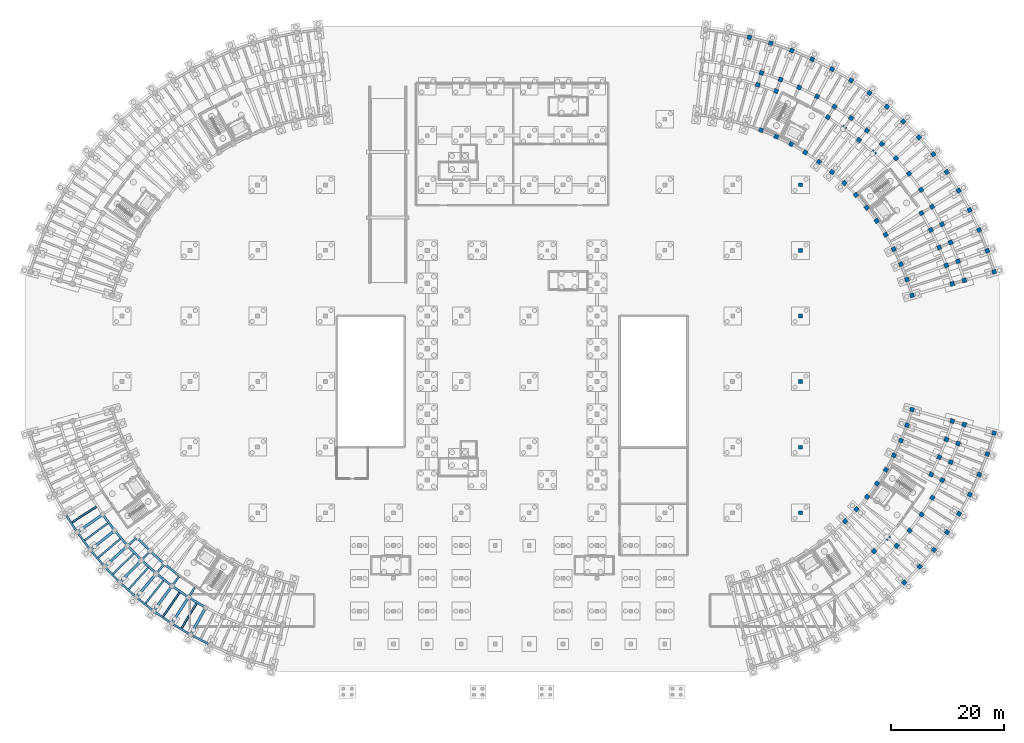
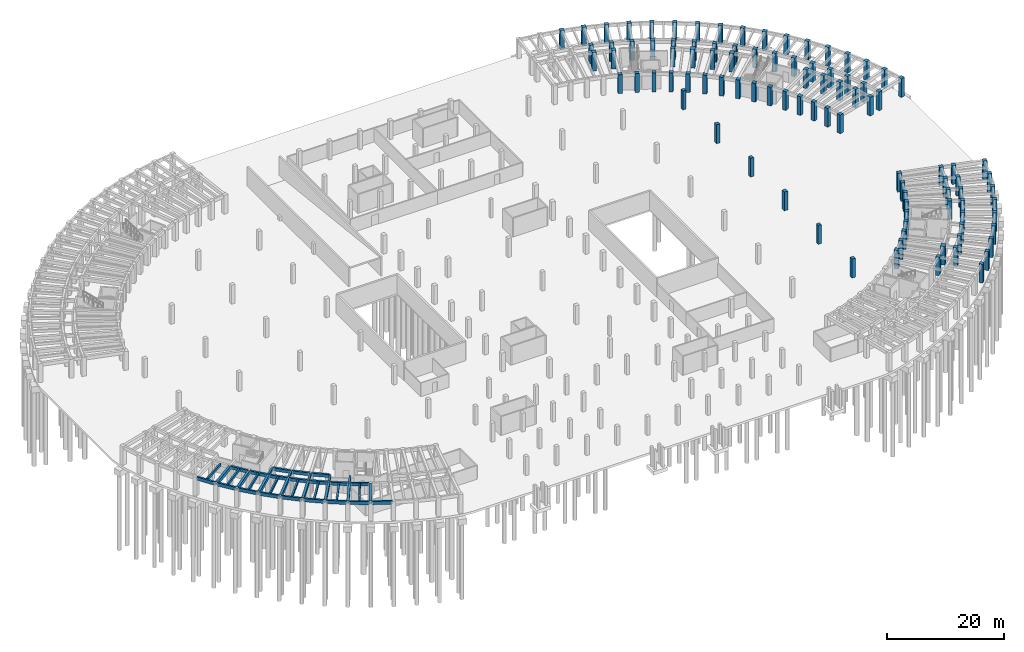
# One storey, part 9 of 29: 97 columns, 40 beams.
"""IFC4 building model written with IfcOpenShell, lengths in metres."""

import ifcopenshell
import ifcopenshell.guid

model = None  # the IFC model being written
_history = None  # IfcOwnerHistory: only IFC2X3 demands one
_inside = {}  # id of a spatial element -> (the spatial element, [elements in it])
_under = {}  # id of a project, library or spatial element -> (it, [spatial elements below it])
_declared = {}  # id of a project -> (the project, [libraries it declares])
_typed = {}  # id of a type object -> (the type object, [elements of that type])
_made_of = {}  # id of a material, layer set ... -> (it, [elements and type objects made of it])


def new_model(schema):
    """Start an empty IFC model of exactly this schema.

    Asked for "IFC4X3", IfcOpenShell would pick the latest addendum, in which some entities
    have other attributes; the version numbers below select the first issue.
    IFC2X3 requires an IfcOwnerHistory on every rooted entity: one is made here for all.
    """
    global model, _history
    if schema == "IFC4X3":
        model = ifcopenshell.file(schema_version=(4, 3, 0, 0))
    else:
        model = ifcopenshell.file(schema=schema)
    _inside.clear()
    _under.clear()
    _declared.clear()
    _typed.clear()
    _made_of.clear()
    _history = None
    if model.schema == "IFC2X3":
        org = make("IfcOrganization", Name="unknown")
        user = make(
            "IfcPersonAndOrganization",
            ThePerson=make("IfcPerson", FamilyName="unknown"),
            TheOrganization=org,
        )
        app = make(
            "IfcApplication",
            ApplicationDeveloper=org,
            Version="unknown",
            ApplicationFullName="unknown",
            ApplicationIdentifier="unknown",
        )
        _history = make(
            "IfcOwnerHistory",
            OwningUser=user,
            OwningApplication=app,
            ChangeAction="ADDED",
            CreationDate=0,
        )
    return model


def make(cls, **values):
    """One entity of the class cls with the attributes given. An attribute that is None is left unset."""
    return model.create_entity(
        cls, **{name: value for name, value in values.items() if value is not None}
    )


def rooted(cls, **values):
    """An entity with a GlobalId (a new one), such as an element, a storey or a relation."""
    return make(cls, GlobalId=ifcopenshell.guid.new(), OwnerHistory=_history, **values)


def si_unit(unit_type, name, prefix=None):
    """IfcSIUnit, for example si_unit("LENGTHUNIT", "METRE", prefix="MILLI")."""
    return make("IfcSIUnit", UnitType=unit_type, Prefix=prefix, Name=name)


def assignment(units):
    """IfcUnitAssignment: the units of a project."""
    return None if units is None else make("IfcUnitAssignment", Units=units)


def point(xyz):
    """IfcCartesianPoint."""
    return None if xyz is None else make("IfcCartesianPoint", Coordinates=xyz)


def direction(xyz):
    """IfcDirection."""
    return None if xyz is None else make("IfcDirection", DirectionRatios=xyz)


def frame(location, z_axis=None, x_axis=None):
    """IfcAxis2Placement3D, a coordinate frame: its origin and axes. An axis left out is left unset."""
    return make(
        "IfcAxis2Placement3D",
        Location=point(location),
        Axis=direction(z_axis),
        RefDirection=direction(x_axis),
    )


def frame_2d(location, x_axis=None):
    """IfcAxis2Placement2D, a coordinate frame in the plane: its origin and x axis."""
    return make(
        "IfcAxis2Placement2D", Location=point(location), RefDirection=direction(x_axis)
    )


def origin():
    """The frame at (0, 0, 0) with its axes left unset."""
    return frame((0.0, 0.0, 0.0))


def origin_2d():
    """The frame at (0, 0) in the plane with its x axis left unset."""
    return frame_2d((0.0, 0.0))


def place(relative_to, where):
    """IfcLocalPlacement: puts the frame where relative to a parent placement (None: the world)."""
    return make(
        "IfcLocalPlacement", PlacementRelTo=relative_to, RelativePlacement=where
    )


def context(
    kind, dimensions, precision=None, world=None, true_north=None, identifier=None
):
    """IfcGeometricRepresentationContext, for example the 3D "Model" context."""
    return make(
        "IfcGeometricRepresentationContext",
        ContextIdentifier=identifier,
        ContextType=kind,
        CoordinateSpaceDimension=dimensions,
        Precision=precision,
        WorldCoordinateSystem=world,
        TrueNorth=true_north,
    )


def subcontext(parent, identifier, kind, view, scale=None):
    """IfcGeometricRepresentationSubContext, for example "Body" below "Model"."""
    return make(
        "IfcGeometricRepresentationSubContext",
        ContextIdentifier=identifier,
        ContextType=kind,
        ParentContext=parent,
        TargetScale=scale,
        TargetView=view,
    )


def project(units=None, contexts=None):
    """IfcProject with its units and contexts."""
    return rooted(
        "IfcProject",
        Name="project",
        RepresentationContexts=contexts,
        UnitsInContext=assignment(units),
    )


def spatial(cls, under=None, at=None, **own):
    """A site, building, storey or space (cls), placed at a placement, below another one or the project."""
    s = rooted(cls, ObjectPlacement=at, **own)
    if under is not None:
        _under.setdefault(under.id(), (under, []))[1].append(s)
    return s


def profile(cls, at=None, kind="AREA", **sizes):
    """A parametric profile (cls). Its sizes go by their IFC names, for example OverallWidth=200.0."""
    return make(cls, ProfileType=kind, Position=at, **sizes)


def rectangle(**sizes):
    """IfcRectangleProfileDef."""
    return profile("IfcRectangleProfileDef", **sizes)


def extrude(swept, where, along, depth):
    """IfcExtrudedAreaSolid: the profile swept, set in the frame where, extruded along a direction by depth."""
    return make(
        "IfcExtrudedAreaSolid",
        SweptArea=swept,
        Position=where,
        ExtrudedDirection=direction(along),
        Depth=depth,
    )


def shape(context_of_items, identifier, shape_type, items):
    """IfcShapeRepresentation: the items that make up one representation, for example the "Body"."""
    return make(
        "IfcShapeRepresentation",
        ContextOfItems=context_of_items,
        RepresentationIdentifier=identifier,
        RepresentationType=shape_type,
        Items=items,
    )


def material(Name=None, Category=None):
    """IfcMaterial."""
    return make("IfcMaterial", Name=Name, Category=Category)


def material_profile(
    of_material, cross_section, Name=None, Category=None, Priority=None
):
    """IfcMaterialProfile: a cross section and its material."""
    return make(
        "IfcMaterialProfile",
        Name=Name,
        Material=of_material,
        Profile=cross_section,
        Priority=Priority,
        Category=Category,
    )


def profile_set(profiles, Name=None, composite=None):
    """IfcMaterialProfileSet."""
    return make(
        "IfcMaterialProfileSet",
        Name=Name,
        MaterialProfiles=profiles,
        CompositeProfile=composite,
    )


def made_of(thing, what):
    """Note that an element or type object is made of a material, layer set ...; save() writes the relation."""
    if what is not None:
        _made_of.setdefault(what.id(), (what, []))[1].append(thing)
    return thing


def type_object(cls, material=None, **own):
    """A type object (cls), such as IfcWallType, which elements share."""
    return made_of(rooted(cls, **own), material)


def element(
    cls,
    number,
    at=None,
    inside=None,
    cuts=None,
    type_object=None,
    material=None,
    context=None,
    identifier="Body",
    shape_type=None,
    held_by="IfcProductDefinitionShape",
    body=None,
    shapes=None,
    **own,
):
    """One element of the class cls, such as IfcWall. Its Tag is "e" and its number.

    at: its placement. inside: the storey or other place that contains it. cuts: it is an
    opening in that element (IfcRelVoidsElement). A single representation is given by context,
    identifier, shape_type and body (its items); several are given by shapes. held_by: the class
    of the entity that holds the representations. save() writes the other relations.
    """
    e = rooted(cls, Tag="e%d" % number, ObjectPlacement=at, **own)
    if body is not None:
        shapes = [shape(context, identifier, shape_type, body)]
    if shapes is not None:
        e.Representation = make(held_by, Representations=shapes)
    if inside is not None:
        _inside.setdefault(inside.id(), (inside, []))[1].append(e)
    if cuts is not None:
        rooted(
            "IfcRelVoidsElement", RelatingBuildingElement=cuts, RelatedOpeningElement=e
        )
    if type_object is not None:
        _typed.setdefault(type_object.id(), (type_object, []))[1].append(e)
    return made_of(e, material)


def aggregate(whole, parts):
    """IfcRelAggregates: a whole, such as a stair, and the parts it consists of."""
    return rooted("IfcRelAggregates", RelatingObject=whole, RelatedObjects=parts)


def save(model, path):
    """Write the relations noted so far, then the file.

    IfcRelAggregates (storeys below a building ...), IfcRelContainedInSpatialStructure (elements
    in a storey), IfcRelDefinesByType, IfcRelAssociatesMaterial and IfcRelDeclares: one each for
    every whole, place, type object, material and project.
    """
    for whole, parts in _under.values():
        aggregate(whole, parts)
    for where, things in _inside.values():
        rooted(
            "IfcRelContainedInSpatialStructure",
            RelatedElements=things,
            RelatingStructure=where,
        )
    for kind, things in _typed.values():
        rooted("IfcRelDefinesByType", RelatedObjects=things, RelatingType=kind)
    for what, things in _made_of.values():
        rooted("IfcRelAssociatesMaterial", RelatedObjects=things, RelatingMaterial=what)
    for by, libraries in _declared.values():
        rooted("IfcRelDeclares", RelatingContext=by, RelatedDefinitions=libraries)
    model.write(path)


model = new_model("IFC4")

# Units and contexts
model_context = context("Model", 3, precision=1e-05, world=origin(), true_north=direction((0.0, 1.0)))
body_context = subcontext(model_context, "Body", "Model", "MODEL_VIEW")
ifc_project = project(units=[si_unit("LENGTHUNIT", "METRE"), si_unit("AREAUNIT", "SQUARE_METRE"), si_unit("VOLUMEUNIT", "CUBIC_METRE"), si_unit("PLANEANGLEUNIT", "RADIAN"), si_unit("MASSUNIT", "GRAM", prefix="KILO")], contexts=[model_context])

# Site, building, storey
site_placement = place(None, origin())
site = spatial("IfcSite", under=ifc_project, at=site_placement, CompositionType="ELEMENT")
building_placement = place(site_placement, origin())
building = spatial("IfcBuilding", under=site, at=building_placement, Name="Tanwirah Colonnade Gardens", CompositionType="ELEMENT")
storey_placement = place(building_placement, frame((0.0, 0.0, -4.199951171875)))
storey = spatial("IfcBuildingStorey", under=building, at=storey_placement, Name="B1", CompositionType="ELEMENT", Elevation=-4.199951171875)

# Columns
ifc_material_1 = material(Name="Concrete C45/55", Category="concrete")
ifc_material_profile_1 = material_profile(ifc_material_1, rectangle(XDim=0.64990234375, YDim=0.64990234375, at=origin_2d()), Name="RC-COL 650x650")
ifc_profile_set_1 = profile_set([ifc_material_profile_1], Name="Concrete C45/55")
column_type_1 = type_object("IfcColumnType", Name="C-RC650", PredefinedType="COLUMN", material=ifc_profile_set_1)
for number, where, z_axis, x_axis, name in (
    (1, (144.0, 45.60009765625, 0.0), (0.0, 0.0, 1.0), (1.0, 0.0, 0.0), "Basement Parking Column 39"),
    (2, (144.0, 68.800048828125, 0.0), (0.0, 0.0, 1.0), (1.0, 0.0, 0.0), "Basement Parking Column 41"),
    (3, (144.0, 92.0, 0.0), (0.0, 0.0, 1.0), (1.0, 0.0, 0.0), "Basement Parking Column 43"),
):
    element("IfcColumn", number, at=place(storey_placement, frame(where, z_axis=z_axis, x_axis=x_axis)), inside=storey, type_object=column_type_1, Name=name, PredefinedType="COLUMN", context=body_context, shape_type="SweptSolid", body=[
        extrude(rectangle(XDim=0.64990234375, YDim=0.64990234375, at=origin_2d()), origin(), (0.0, 0.0, 1.0), 3.969970703125),
    ])
ifc_material_profile_2 = material_profile(ifc_material_1, rectangle(XDim=0.699951171875, YDim=0.699951171875, at=origin_2d()), Name="RC-COL 700x700")
ifc_profile_set_2 = profile_set([ifc_material_profile_2], Name="Concrete C45/55")
column_type_2 = type_object("IfcColumnType", Name="C-RC700", PredefinedType="COLUMN", material=ifc_profile_set_2)
for number, where, z_axis, x_axis, name in (
    (4, (144.0, 34.0, 0.0), (0.0, 0.0, 1.0), (1.0, 0.0, 0.0), "Basement Parking Column 38"),
    (5, (144.0, 57.199951171875, 0.0), (0.0, 0.0, 1.0), (1.0, 0.0, 0.0), "Basement Parking Column 40"),
    (6, (144.0, 80.39990234375, 0.0), (0.0, 0.0, 1.0), (1.0, 0.0, 0.0), "Basement Parking Column 42"),
):
    element("IfcColumn", number, at=place(storey_placement, frame(where, z_axis=z_axis, x_axis=x_axis)), inside=storey, type_object=column_type_2, Name=name, PredefinedType="COLUMN", context=body_context, shape_type="SweptSolid", body=[
        extrude(rectangle(XDim=0.699951171875, YDim=0.699951171875, at=origin_2d()), origin(), (0.0, 0.0, 1.0), 3.969970703125),
    ])
ifc_material_profile_3 = material_profile(ifc_material_1, rectangle(XDim=0.75, YDim=0.75, at=origin_2d()), Name="RC-COL 750x750")
ifc_profile_set_3 = profile_set([ifc_material_profile_3], Name="Concrete C45/55")
column_type_3 = type_object("IfcColumnType", Name="C-RC750", PredefinedType="COLUMN", material=ifc_profile_set_3)
for number, where, z_axis, x_axis, name in (
    (7, (163.72802734375, 72.4521484375, 0.0), (0.0, 0.0, 1.0), (0.961261695938, 0.275637355817, 0.0), "Block B B1 Column 0-R0"),
    (8, (170.84130859375, 74.49169921875, 0.0), (0.0, 0.0, 1.0), (0.961261695938, 0.275637355817, 0.0), "Block B B1 Column 0-R1"),
    (9, (172.956298828125, 75.09814453125, 0.0), (0.0, 0.0, 1.0), (0.961261695938, 0.275637355817, 0.0), "Block B B1 Column 0-R2"),
    (10, (178.2431640625, 76.6142578125, 0.0), (0.0, 0.0, 1.0), (0.961261695938, 0.275637355817, 0.0), "Block B B1 Column 0-R3"),
    (11, (162.827880859375, 75.24072265625, 0.0), (0.0, 0.0, 1.0), (0.941012076693, 0.338372976931, 0.0), "Block B B1 Column 1-R0"),
    (12, (169.79150390625, 77.74462890625, 0.0), (0.0, 0.0, 1.0), (0.941012076693, 0.338372976931, 0.0), "Block B B1 Column 1-R1"),
    (13, (171.86181640625, 78.489013671875, 0.0), (0.0, 0.0, 1.0), (0.941012076693, 0.338372976931, 0.0), "Block B B1 Column 1-R2"),
    (14, (177.037353515625, 80.35009765625, 0.0), (0.0, 0.0, 1.0), (0.941012076693, 0.338372976931, 0.0), "Block B B1 Column 1-R3"),
    (15, (161.74609375, 77.9638671875, 0.0), (0.0, 0.0, 1.0), (0.916673002238, 0.39963809499, 0.0), "Block B B1 Column 2-R0"),
    (16, (168.529541015625, 80.921142578125, 0.0), (0.0, 0.0, 1.0), (0.916673002238, 0.39963809499, 0.0), "Block B B1 Column 2-R1"),
    (17, (170.546142578125, 81.800537109375, 0.0), (0.0, 0.0, 1.0), (0.916673002238, 0.39963809499, 0.0), "Block B B1 Column 2-R2"),
    (18, (175.587890625, 83.99853515625, 0.0), (0.0, 0.0, 1.0), (0.916673002238, 0.39963809499, 0.0), "Block B B1 Column 2-R3"),
    (19, (160.487060546875, 80.60986328125, 0.0), (0.0, 0.0, 1.0), (0.88835024545, 0.459166463723, 0.0), "Block B B1 Column 3-R0"),
    (20, (167.06103515625, 84.0078125, 0.0), (0.0, 0.0, 1.0), (0.88835024545, 0.459166463723, 0.0), "Block B B1 Column 3-R1"),
    (21, (169.015380859375, 85.01806640625, 0.0), (0.0, 0.0, 1.0), (0.88835024545, 0.459166463723, 0.0), "Block B B1 Column 3-R2"),
    (22, (173.9013671875, 87.54345703125, 0.0), (0.0, 0.0, 1.0), (0.88835024545, 0.459166463723, 0.0), "Block B B1 Column 3-R3"),
    (23, (159.056640625, 83.167236328125, 0.0), (0.0, 0.0, 1.0), (0.856166891514, 0.516699384434, 0.0), "Block B B1 Column 4-R0"),
    (24, (165.392333984375, 86.990966796875, 0.0), (0.0, 0.0, 1.0), (0.856166891514, 0.516699384434, 0.0), "Block B B1 Column 4-R1"),
    (25, (167.27587890625, 88.127685546875, 0.0), (0.0, 0.0, 1.0), (0.856166891514, 0.516699384434, 0.0), "Block B B1 Column 4-R2"),
    (26, (171.984619140625, 90.969482421875, 0.0), (0.0, 0.0, 1.0), (0.856166891514, 0.516699384434, 0.0), "Block B B1 Column 4-R3"),
    (27, (157.460693359375, 85.624755859375, 0.0), (0.0, 0.0, 1.0), (0.820262803018, 0.571986830255, 0.0), "Block B B1 Column 5-R0"),
    (28, (165.335205078125, 91.115966796875, 0.0), (0.0, 0.0, 1.0), (0.820262803018, 0.571986830255, 0.0), "Block B B1 Column 5-R2"),
    (29, (169.8466796875, 94.26171875, 0.0), (0.0, 0.0, 1.0), (0.820262803018, 0.571986830255, 0.0), "Block B B1 Column 5-R3"),
    (30, (155.706298828125, 87.971923828125, 0.0), (0.0, 0.0, 1.0), (0.780794012137, 0.624788532714, 0.0), "Block B B1 Column 6-R0"),
    (31, (163.201904296875, 93.9697265625, 0.0), (0.0, 0.0, 1.0), (0.780794012137, 0.624788532714, 0.0), "Block B B1 Column 6-R2"),
    (32, (167.496337890625, 97.40625, 0.0), (0.0, 0.0, 1.0), (0.780794012137, 0.624788532714, 0.0), "Block B B1 Column 6-R3"),
    (33, (153.801025390625, 90.1982421875, 0.0), (0.0, 0.0, 1.0), (0.73793204255, 0.674875025896, 0.0), "Block B B1 Column 7-R0"),
    (34, (160.88525390625, 96.677001953125, 0.0), (0.0, 0.0, 1.0), (0.73793204255, 0.674875025896, 0.0), "Block B B1 Column 7-R2"),
    (35, (164.94384765625, 100.388916015625, 0.0), (0.0, 0.0, 1.0), (0.73793204255, 0.674875025896, 0.0), "Block B B1 Column 7-R3"),
    (36, (151.75341796875, 92.294189453125, 0.0), (0.0, 0.0, 1.0), (0.691863164029, 0.722028643656, 0.0), "Block B B1 Column 8-R0"),
    (37, (158.395263671875, 99.2255859375, 0.0), (0.0, 0.0, 1.0), (0.691863164029, 0.722028643656, 0.0), "Block B B1 Column 8-R2"),
    (38, (162.200439453125, 103.19677734375, 0.0), (0.0, 0.0, 1.0), (0.691863164029, 0.722028643656, 0.0), "Block B B1 Column 8-R3"),
    (39, (149.572021484375, 94.250732421875, 0.0), (0.0, 0.0, 1.0), (0.642787582947, 0.766044465556, 0.0), "Block B B1 Column 9-R0"),
    (40, (154.32861328125, 99.91943359375, 0.0), (0.0, 0.0, 1.0), (0.642787582947, 0.766044465556, 0.0), "Block B B1 Column 9-R1"),
    (41, (155.74267578125, 101.604736328125, 0.0), (0.0, 0.0, 1.0), (0.642787582947, 0.766044465556, 0.0), "Block B B1 Column 9-R2"),
    (42, (159.278076171875, 105.81787109375, 0.0), (0.0, 0.0, 1.0), (0.642787582947, 0.766044465556, 0.0), "Block B B1 Column 9-R3"),
    (43, (147.266357421875, 96.05908203125, 0.0), (0.0, 0.0, 1.0), (0.590918572221, 0.806731207407, 0.0), "Block B B1 Column 10-R0"),
    (44, (152.939208984375, 103.8037109375, 0.0), (0.0, 0.0, 1.0), (0.590918572221, 0.806731207407, 0.0), "Block B B1 Column 10-R2"),
    (45, (156.189208984375, 108.24072265625, 0.0), (0.0, 0.0, 1.0), (0.590918572221, 0.806731207407, 0.0), "Block B B1 Column 10-R3"),
    (46, (144.8466796875, 97.7119140625, 0.0), (0.0, 0.0, 1.0), (0.536481544469, 0.843912052553, 0.0), "Block B B1 Column 11-R0"),
    (47, (148.816650390625, 103.956787109375, 0.0), (0.0, 0.0, 1.0), (0.536481544469, 0.843912052553, 0.0), "Block B B1 Column 11-R1"),
    (48, (149.996826171875, 105.8134765625, 0.0), (0.0, 0.0, 1.0), (0.536481544469, 0.843912052553, 0.0), "Block B B1 Column 11-R2"),
    (49, (152.947509765625, 110.455078125, 0.0), (0.0, 0.0, 1.0), (0.536481544469, 0.843912052553, 0.0), "Block B B1 Column 11-R3"),
    (50, (142.3232421875, 99.20166015625, 0.0), (0.0, 0.0, 1.0), (0.479713072413, 0.877425420281, 0.0), "Block B B1 Column 12-R0"),
    (51, (146.928466796875, 107.624755859375, 0.0), (0.0, 0.0, 1.0), (0.479713072413, 0.877425420281, 0.0), "Block B B1 Column 12-R2"),
    (52, (149.56689453125, 112.45068359375, 0.0), (0.0, 0.0, 1.0), (0.479713072413, 0.877425420281, 0.0), "Block B B1 Column 12-R3"),
    (53, (139.707275390625, 100.521728515625, 0.0), (0.0, 0.0, 1.0), (0.420859860775, 0.907125668024, 0.0), "Block B B1 Column 13-R0"),
    (54, (143.74755859375, 109.230224609375, 0.0), (0.0, 0.0, 1.0), (0.420859860775, 0.907125668024, 0.0), "Block B B1 Column 13-R2"),
    (55, (146.062255859375, 114.21923828125, 0.0), (0.0, 0.0, 1.0), (0.420859860775, 0.907125668024, 0.0), "Block B B1 Column 13-R3"),
    (56, (137.010009765625, 101.666748046875, 0.0), (0.0, 0.0, 1.0), (0.36017767415, 0.932883724289, 0.0), "Block B B1 Column 14-R0"),
    (57, (139.67529296875, 108.570068359375, 0.0), (0.0, 0.0, 1.0), (0.36017767415, 0.932883724289, 0.0), "Block B B1 Column 14-R1"),
    (58, (140.467529296875, 110.622314453125, 0.0), (0.0, 0.0, 1.0), (0.36017767415, 0.932883724289, 0.0), "Block B B1 Column 14-R2"),
    (59, (142.448486328125, 115.753173828125, 0.0), (0.0, 0.0, 1.0), (0.36017767415, 0.932883724289, 0.0), "Block B B1 Column 14-R3"),
    (60, (136.44775390625, 109.6953125, 0.0), (0.0, 0.0, 1.0), (0.297930225503, 0.954587649581, 0.0), "Block B B1 Column 15-R1"),
    (61, (137.10302734375, 111.79541015625, 0.0), (0.0, 0.0, 1.0), (0.297930225503, 0.954587649581, 0.0), "Block B B1 Column 15-R2"),
    (62, (138.74169921875, 117.045654296875, 0.0), (0.0, 0.0, 1.0), (0.297930225503, 0.954587649581, 0.0), "Block B B1 Column 15-R3"),
    (63, (134.957763671875, 118.091064453125, 0.0), (0.0, 0.0, 1.0), (0.234388030122, 0.972143122866, 0.0), "Block B B1 Column 16-R3"),
    (64, (151.877685546875, 32.525390625, 0.0), (0.0, 0.0, 1.0), (0.694658370459, -0.719339800339, 0.0), "Block D B1 Column 8-R0"),
    (65, (157.01806640625, 27.2021484375, 0.0), (0.0, 0.0, 1.0), (0.694658370459, -0.719339800339, 0.0), "Block D B1 Column 8-R1"),
    (66, (162.366943359375, 21.663330078125, 0.0), (0.0, 0.0, 1.0), (0.694658370459, -0.719339800339, 0.0), "Block D B1 Column 8-R3"),
    (67, (153.902587890625, 34.61328125, 0.0), (0.0, 0.0, 1.0), (0.740218127487, -0.672366807435, 0.0), "Block D B1 Column 9-R0"),
    (68, (161.0087890625, 28.15869140625, 0.0), (0.0, 0.0, 1.0), (0.740218127487, -0.672366807435, 0.0), "Block D B1 Column 9-R2"),
    (69, (165.080078125, 24.46044921875, 0.0), (0.0, 0.0, 1.0), (0.740218127487, -0.672366807435, 0.0), "Block D B1 Column 9-R3"),
    (70, (155.786865234375, 36.829345703125, 0.0), (0.0, 0.0, 1.0), (0.782608156852, -0.622514636638, 0.0), "Block D B1 Column 10-R0"),
    (71, (163.300048828125, 30.85302734375, 0.0), (0.0, 0.0, 1.0), (0.782608156852, -0.622514636638, 0.0), "Block D B1 Column 10-R2"),
    (72, (167.604248046875, 27.42919921875, 0.0), (0.0, 0.0, 1.0), (0.782608156852, -0.622514636638, 0.0), "Block D B1 Column 10-R3"),
    (73, (157.522216796875, 39.16357421875, 0.0), (0.0, 0.0, 1.0), (0.821646937942, -0.569996762596, 0.0), "Block D B1 Column 11-R0"),
    (74, (165.409912109375, 33.691650390625, 0.0), (0.0, 0.0, 1.0), (0.821646937942, -0.569996762596, 0.0), "Block D B1 Column 11-R2"),
    (75, (169.928955078125, 30.556640625, 0.0), (0.0, 0.0, 1.0), (0.821646937942, -0.569996762596, 0.0), "Block D B1 Column 11-R3"),
    (76, (159.10107421875, 41.6064453125, 0.0), (0.0, 0.0, 1.0), (0.857167300702, -0.51503807491, 0.0), "Block D B1 Column 12-R0"),
    (77, (167.329833984375, 36.662109375, 0.0), (0.0, 0.0, 1.0), (0.857167300702, -0.51503807491, 0.0), "Block D B1 Column 12-R2"),
    (78, (172.04443359375, 33.82958984375, 0.0), (0.0, 0.0, 1.0), (0.857167300702, -0.51503807491, 0.0), "Block D B1 Column 12-R3"),
    (79, (160.516845703125, 44.1474609375, 0.0), (0.0, 0.0, 1.0), (0.889017141486, -0.457873915117, 0.0), "Block D B1 Column 13-R0"),
    (80, (167.095458984375, 40.75927734375, 0.0), (0.0, 0.0, 1.0), (0.889017141486, -0.457873915117, 0.0), "Block D B1 Column 13-R1"),
    (81, (169.05126953125, 39.751953125, 0.0), (0.0, 0.0, 1.0), (0.889017141486, -0.457873915117, 0.0), "Block D B1 Column 13-R2"),
    (82, (173.94091796875, 37.233642578125, 0.0), (0.0, 0.0, 1.0), (0.889017141486, -0.457873915117, 0.0), "Block D B1 Column 13-R3"),
    (83, (161.763427734375, 46.775634765625, 0.0), (0.0, 0.0, 1.0), (0.917060074385, -0.398749068925, 0.0), "Block D B1 Column 14-R0"),
    (84, (168.549560546875, 43.824951171875, 0.0), (0.0, 0.0, 1.0), (0.917060074385, -0.398749068925, 0.0), "Block D B1 Column 14-R1"),
    (85, (170.567138671875, 42.947509765625, 0.0), (0.0, 0.0, 1.0), (0.917060074385, -0.398749068925, 0.0), "Block D B1 Column 14-R2"),
    (86, (175.61083984375, 40.75439453125, 0.0), (0.0, 0.0, 1.0), (0.917060074385, -0.398749068925, 0.0), "Block D B1 Column 14-R3"),
    (87, (162.835205078125, 49.4794921875, 0.0), (0.0, 0.0, 1.0), (0.941176015256, -0.337916718003, 0.0), "Block D B1 Column 15-R0"),
    (88, (169.800048828125, 46.97900390625, 0.0), (0.0, 0.0, 1.0), (0.941176015256, -0.337916718003, 0.0), "Block D B1 Column 15-R1"),
    (89, (171.87060546875, 46.235595703125, 0.0), (0.0, 0.0, 1.0), (0.941176015256, -0.337916718003, 0.0), "Block D B1 Column 15-R2"),
    (90, (177.047119140625, 44.376953125, 0.0), (0.0, 0.0, 1.0), (0.941176015256, -0.337916718003, 0.0), "Block D B1 Column 15-R3"),
    (91, (163.72802734375, 52.247802734375, 0.0), (0.0, 0.0, 1.0), (0.961261695938, -0.275637355817, 0.0), "Block D B1 Column 16-R0"),
    (92, (170.84130859375, 50.208251953125, 0.0), (0.0, 0.0, 1.0), (0.961261695938, -0.275637355817, 0.0), "Block D B1 Column 16-R1"),
    (93, (172.956298828125, 49.601806640625, 0.0), (0.0, 0.0, 1.0), (0.961261695938, -0.275637355817, 0.0), "Block D B1 Column 16-R2"),
    (94, (178.2431640625, 48.085693359375, 0.0), (0.0, 0.0, 1.0), (0.961261695938, -0.275637355817, 0.0), "Block D B1 Column 16-R3"),
):
    element("IfcColumn", number, at=place(storey_placement, frame(where, z_axis=z_axis, x_axis=x_axis)), inside=storey, type_object=column_type_3, Name=name, PredefinedType="COLUMN", context=body_context, shape_type="SweptSolid", body=[
        extrude(rectangle(XDim=0.75, YDim=0.75, at=origin_2d()), origin(), (0.0, 0.0, 1.0), 3.919921875),
    ])
ifc_material_2 = material(Name="Concrete C50/60", Category="concrete")
ifc_material_profile_4 = material_profile(ifc_material_2, rectangle(XDim=0.85009765625, YDim=0.85009765625, at=origin_2d()), Name="RC-COL 850x850")
ifc_profile_set_4 = profile_set([ifc_material_profile_4], Name="Concrete C50/60")
column_type_4 = type_object("IfcColumnType", Name="C-RC850", PredefinedType="COLUMN", material=ifc_profile_set_4)
for number, where, z_axis, x_axis, name in (
    (95, (156.873046875, 97.63720703125, 0.0), (0.0, 0.0, 1.0), (0.691863164029, 0.722028643656, 0.0), "Block B B1 Column 8-R1"),
    (96, (151.63916015625, 102.029052734375, 0.0), (0.0, 0.0, 1.0), (0.590918572221, 0.806731207407, 0.0), "Block B B1 Column 10-R1"),
    (97, (159.38037109375, 29.6376953125, 0.0), (0.0, 0.0, 1.0), (0.740218127487, -0.672366807435, 0.0), "Block D B1 Column 9-R1"),
):
    element("IfcColumn", number, at=place(storey_placement, frame(where, z_axis=z_axis, x_axis=x_axis)), inside=storey, type_object=column_type_4, Name=name, PredefinedType="COLUMN", context=body_context, shape_type="SweptSolid", body=[
        extrude(rectangle(XDim=0.85009765625, YDim=0.85009765625, at=origin_2d()), origin(), (0.0, 0.0, 1.0), 3.919921875),
    ])

# Beams
ifc_material_3 = material(Name="Precast concrete C40/50", Category="concrete")
ifc_material_profile_5 = material_profile(ifc_material_3, rectangle(XDim=0.35009765625, YDim=0.550048828125, at=origin_2d()), Name="PC-BM 350x550")
ifc_profile_set_5 = profile_set([ifc_material_profile_5], Name="Precast concrete C40/50")
beam_type_1 = type_object("IfcBeamType", Name="BM-PC350A", PredefinedType="BEAM", material=ifc_profile_set_5)
beam_1_placement = place(storey_placement, frame((26.508544921875, 29.536865234375, 3.64501953125), z_axis=(-0.740219127015, -0.672365707038, 0.0), x_axis=(0.672365707038, -0.740219127015, 0.0)))
element("IfcBeam", 98, at=beam_1_placement, inside=storey, type_object=beam_type_1, Name="Block C B1 Corridor Tie Beam 7", PredefinedType="BEAM", context=body_context, shape_type="SweptSolid", body=[
    extrude(rectangle(XDim=0.35009765625, YDim=0.550048828125, at=origin_2d()), origin(), (0.0, 0.0, 1.0), 1.899658203125),
])
beam_2_placement = place(storey_placement, frame((28.877685546875, 27.09423828125, 3.64501953125), z_axis=(-0.694663306685, -0.719335033448, 0.0), x_axis=(0.719335033448, -0.694663306685, 0.0)))
element("IfcBeam", 99, at=beam_2_placement, inside=storey, type_object=beam_type_1, Name="Block C B1 Corridor Tie Beam 8", PredefinedType="BEAM", context=body_context, shape_type="SweptSolid", body=[
    extrude(rectangle(XDim=0.35009765625, YDim=0.550048828125, at=origin_2d()), origin(), (0.0, 0.0, 1.0), 1.89990234375),
])
for number, where, z_axis, x_axis, name in (
    (100, (31.401611328125, 24.81201171875, 3.64501953125), (-0.646155325581, -0.763205932382, 0.0), (0.763205932382, -0.646155325581, 0.0), "Block C B1 Corridor Tie Beam 9"),
    (101, (34.0693359375, 22.699462890625, 3.64501953125), (-0.594889497099, -0.803807493273, 0.0), (0.803807493273, -0.594889497099, 0.0), "Block C B1 Corridor Tie Beam 10"),
):
    element("IfcBeam", number, at=place(storey_placement, frame(where, z_axis=z_axis, x_axis=x_axis)), inside=storey, type_object=beam_type_1, Name=name, PredefinedType="BEAM", context=body_context, shape_type="SweptSolid", body=[
        extrude(rectangle(XDim=0.35009765625, YDim=0.550048828125, at=origin_2d()), origin(), (0.0, 0.0, 1.0), 1.900146484375),
    ])
beam_3_placement = place(storey_placement, frame((36.869384765625, 20.765869140625, 3.64501953125), z_axis=(-0.540984881989, -0.841032316537, 0.0), x_axis=(0.841032316537, -0.540984881989, 0.0)))
element("IfcBeam", 102, at=beam_3_placement, inside=storey, type_object=beam_type_1, Name="Block C B1 Corridor Tie Beam 11", PredefinedType="BEAM", context=body_context, shape_type="SweptSolid", body=[
    extrude(rectangle(XDim=0.35009765625, YDim=0.550048828125, at=origin_2d()), origin(), (0.0, 0.0, 1.0), 1.89990234375),
])
ifc_material_profile_6 = material_profile(ifc_material_3, rectangle(XDim=0.3798828125, YDim=0.6201171875, at=origin_2d()), Name="PC-BM 380x620")
ifc_profile_set_6 = profile_set([ifc_material_profile_6], Name="Precast concrete C40/50")
beam_type_2 = type_object("IfcBeamType", Name="BM-PC380", PredefinedType="BEAM", material=ifc_profile_set_6)
beam_4_placement = place(storey_placement, frame((20.679443359375, 33.5712890625, 3.60986328125), z_axis=(0.596579473879, -0.802554005252, 0.0), x_axis=(0.802554005252, 0.596579473879, 0.0)))
element("IfcBeam", 103, at=beam_4_placement, inside=storey, type_object=beam_type_2, Name="Block C B1 Circumferential Beam 5-R2", PredefinedType="BEAM", context=body_context, shape_type="SweptSolid", body=[
    extrude(rectangle(XDim=0.3798828125, YDim=0.6201171875, at=origin_2d()), origin(), (0.0, 0.0, 1.0), 3.237060546875),
])
beam_5_placement = place(storey_placement, frame((22.797119140625, 30.73876953125, 3.60986328125), z_axis=(0.6478235549, -0.761790418499, 0.0), x_axis=(0.761790418499, 0.6478235549, 0.0)))
element("IfcBeam", 104, at=beam_5_placement, inside=storey, type_object=beam_type_2, Name="Block C B1 Circumferential Beam 6-R2", PredefinedType="BEAM", context=body_context, shape_type="SweptSolid", body=[
    extrude(rectangle(XDim=0.3798828125, YDim=0.6201171875, at=origin_2d()), origin(), (0.0, 0.0, 1.0), 3.23681640625),
])
beam_6_placement = place(storey_placement, frame((26.72412109375, 29.530029296875, 3.60986328125), z_axis=(0.696209937932, -0.71783822852, 0.0), x_axis=(0.71783822852, 0.696209937932, 0.0)))
element("IfcBeam", 105, at=beam_6_placement, inside=storey, type_object=beam_type_2, Name="Block C B1 Circumferential Beam 7-R1", PredefinedType="BEAM", context=body_context, shape_type="SweptSolid", body=[
    extrude(rectangle(XDim=0.3798828125, YDim=0.6201171875, at=origin_2d()), origin(), (0.0, 0.0, 1.0), 3.093017578125),
])
beam_7_placement = place(storey_placement, frame((25.095703125, 28.05078125, 3.60986328125), z_axis=(0.696238887656, -0.717810149911, 0.0), x_axis=(0.717810149911, 0.696238887656, 0.0)))
element("IfcBeam", 106, at=beam_7_placement, inside=storey, type_object=beam_type_2, Name="Block C B1 Circumferential Beam 7-R2", PredefinedType="BEAM", context=body_context, shape_type="SweptSolid", body=[
    extrude(rectangle(XDim=0.3798828125, YDim=0.6201171875, at=origin_2d()), origin(), (0.0, 0.0, 1.0), 3.23681640625),
])
beam_8_placement = place(storey_placement, frame((29.09326171875, 27.1015625, 3.60986328125), z_axis=(0.741698455559, -0.670733479873, 0.0), x_axis=(0.670733479873, 0.741698455559, 0.0)))
element("IfcBeam", 107, at=beam_8_placement, inside=storey, type_object=beam_type_2, Name="Block C B1 Circumferential Beam 8-R1", PredefinedType="BEAM", context=body_context, shape_type="SweptSolid", body=[
    extrude(rectangle(XDim=0.3798828125, YDim=0.6201171875, at=origin_2d()), origin(), (0.0, 0.0, 1.0), 3.0927734375),
])
beam_9_placement = place(storey_placement, frame((27.56494140625, 25.51904296875, 3.60986328125), z_axis=(0.741701929733, -0.670729638104, 0.0), x_axis=(0.670729638104, 0.741701929733, 0.0)))
element("IfcBeam", 108, at=beam_9_placement, inside=storey, type_object=beam_type_2, Name="Block C B1 Circumferential Beam 8-R2", PredefinedType="BEAM", context=body_context, shape_type="SweptSolid", body=[
    extrude(rectangle(XDim=0.3798828125, YDim=0.6201171875, at=origin_2d()), origin(), (0.0, 0.0, 1.0), 3.237060546875),
])
beam_10_placement = place(storey_placement, frame((31.615966796875, 24.833251953125, 3.60986328125), z_axis=(0.783962588163, -0.62080807047, 0.0), x_axis=(0.62080807047, 0.783962588163, 0.0)))
element("IfcBeam", 109, at=beam_10_placement, inside=storey, type_object=beam_type_2, Name="Block C B1 Circumferential Beam 9-R1", PredefinedType="BEAM", context=body_context, shape_type="SweptSolid", body=[
    extrude(rectangle(XDim=0.3798828125, YDim=0.6201171875, at=origin_2d()), origin(), (0.0, 0.0, 1.0), 3.093017578125),
])
beam_11_placement = place(storey_placement, frame((30.194580078125, 23.154052734375, 3.60986328125), z_axis=(0.783993819374, -0.620768629349, 0.0), x_axis=(0.620768629349, 0.783993819374, 0.0)))
element("IfcBeam", 110, at=beam_11_placement, inside=storey, type_object=beam_type_2, Name="Block C B1 Circumferential Beam 9-R2", PredefinedType="BEAM", context=body_context, shape_type="SweptSolid", body=[
    extrude(rectangle(XDim=0.3798828125, YDim=0.6201171875, at=origin_2d()), origin(), (0.0, 0.0, 1.0), 3.23681640625),
])
beam_12_placement = place(storey_placement, frame((32.97314453125, 20.96630859375, 3.60986328125), z_axis=(0.822889344221, -0.568201660651, 0.0), x_axis=(0.568201660651, 0.822889344221, 0.0)))
element("IfcBeam", 111, at=beam_12_placement, inside=storey, type_object=beam_type_2, Name="Block C B1 Circumferential Beam 10-R2", PredefinedType="BEAM", context=body_context, shape_type="SweptSolid", body=[
    extrude(rectangle(XDim=0.3798828125, YDim=0.6201171875, at=origin_2d()), origin(), (0.0, 0.0, 1.0), 3.237060546875),
])
beam_13_placement = place(storey_placement, frame((35.88916015625, 18.96484375, 3.60986328125), z_axis=(0.858270604513, -0.513197398111, 0.0), x_axis=(0.513197398111, 0.858270604513, 0.0)))
element("IfcBeam", 112, at=beam_13_placement, inside=storey, type_object=beam_type_2, Name="Block C B1 Circumferential Beam 11-R2", PredefinedType="BEAM", context=body_context, shape_type="SweptSolid", body=[
    extrude(rectangle(XDim=0.3798828125, YDim=0.6201171875, at=origin_2d()), origin(), (0.0, 0.0, 1.0), 3.23681640625),
])
ifc_material_4 = material(Name="Precast concrete C45/55", Category="concrete")
ifc_material_profile_7 = material_profile(ifc_material_4, rectangle(XDim=0.449951171875, YDim=0.699951171875, at=origin_2d()), Name="PC-BM 450x700")
ifc_profile_set_7 = profile_set([ifc_material_profile_7], Name="Precast concrete C45/55")
beam_type_3 = type_object("IfcBeamType", Name="BM-PC450", PredefinedType="BEAM", material=ifc_profile_set_7)
beam_14_placement = place(storey_placement, frame((20.466796875, 33.606201171875, 3.570068359375), z_axis=(-0.821644204852, -0.570000702309, 0.0), x_axis=(0.570000702309, -0.821644204852, 0.0)))
element("IfcBeam", 113, at=beam_14_placement, inside=storey, type_object=beam_type_3, Name="Block C B1 Outer Radial Precast Girder 5", PredefinedType="BEAM", context=body_context, shape_type="SweptSolid", body=[
    extrude(rectangle(XDim=0.449951171875, YDim=0.699951171875, at=origin_2d()), origin(), (0.0, 0.0, 1.0), 5.2001953125),
])
beam_15_placement = place(storey_placement, frame((22.58251953125, 30.759765625, 3.570068359375), z_axis=(-0.782592736164, -0.622534022606, 0.0), x_axis=(0.622534022606, -0.782592736164, 0.0)))
element("IfcBeam", 114, at=beam_15_placement, inside=storey, type_object=beam_type_3, Name="Block C B1 Outer Radial Precast Girder 6", PredefinedType="BEAM", context=body_context, shape_type="SweptSolid", body=[
    extrude(rectangle(XDim=0.449951171875, YDim=0.699951171875, at=origin_2d()), origin(), (0.0, 0.0, 1.0), 5.19970703125),
])
for number, where, z_axis, x_axis, name in (
    (115, (24.880126953125, 28.0576171875, 3.570068359375), (-0.740237431414, -0.672345554855, 0.0), (0.672345554855, -0.740237431414, 0.0), "Block C B1 Outer Radial Precast Girder 7"),
    (116, (27.349609375, 25.51171875, 3.570068359375), (-0.69467494586, -0.719323793291, 0.0), (0.719323793291, -0.69467494586, 0.0), "Block C B1 Outer Radial Precast Girder 8"),
    (117, (29.97998046875, 23.1328125, 3.570068359375), (-0.64613164223, -0.763225982858, 0.0), (0.763225982858, -0.64613164223, 0.0), "Block C B1 Outer Radial Precast Girder 9"),
    (118, (32.760498046875, 20.930908203125, 3.570068359375), (-0.594826622676, -0.803854022168, 0.0), (0.803854022168, -0.594826622676, 0.0), "Block C B1 Outer Radial Precast Girder 10"),
    (119, (35.67919921875, 18.915771484375, 3.570068359375), (-0.540952154563, -0.841053367197, 0.0), (0.841053367197, -0.540952154563, 0.0), "Block C B1 Outer Radial Precast Girder 11"),
    (120, (38.723388671875, 17.095703125, 3.570068359375), (-0.484801599806, -0.874624152894, 0.0), (0.874624152894, -0.484801599806, 0.0), "Block C B1 Outer Radial Precast Girder 12"),
):
    element("IfcBeam", number, at=place(storey_placement, frame(where, z_axis=z_axis, x_axis=x_axis)), inside=storey, type_object=beam_type_3, Name=name, PredefinedType="BEAM", context=body_context, shape_type="SweptSolid", body=[
        extrude(rectangle(XDim=0.449951171875, YDim=0.699951171875, at=origin_2d()), origin(), (0.0, 0.0, 1.0), 5.199951171875),
    ])
ifc_material_profile_8 = material_profile(ifc_material_3, rectangle(XDim=0.300048828125, YDim=0.5, at=origin_2d()), Name="PC-JST 300x500")
ifc_profile_set_8 = profile_set([ifc_material_profile_8], Name="Precast concrete C40/50")
beam_type_4 = type_object("IfcBeamType", Name="JST-PC300", PredefinedType="JOIST", material=ifc_profile_set_8)
for number, where, z_axis, x_axis, name in (
    (121, (19.5048828125, 35.09619140625, 3.669921875), (-0.839842770955, -0.542829733963, 0.0), (0.542829733963, -0.839842770955, 0.0), "Block C B1 Precast Floor Joist 4"),
    (122, (21.525390625, 32.18359375, 3.669921875), (-0.802560347737, -0.596570941499, 0.0), (0.596570941499, -0.802560347737, 0.0), "Block C B1 Precast Floor Joist 5"),
    (123, (23.732177734375, 29.409423828125, 3.669921875), (-0.761803021124, -0.647808734895, 0.0), (0.647808734895, -0.761803021124, 0.0), "Block C B1 Precast Floor Joist 6"),
    (124, (26.115478515625, 26.785400390625, 3.669921875), (-0.717816036263, -0.696232818878, 0.0), (0.696232818878, -0.717816036263, 0.0), "Block C B1 Precast Floor Joist 7"),
    (125, (28.66552734375, 24.322998046875, 3.669921875), (-0.670780841255, -0.741655622918, 0.0), (0.741655622918, -0.670780841255, 0.0), "Block C B1 Precast Floor Joist 8"),
    (126, (31.370849609375, 22.03271484375, 3.669921875), (-0.620787347885, -0.783978997617, 0.0), (0.783978997617, -0.620787347885, 0.0), "Block C B1 Precast Floor Joist 9"),
    (127, (34.220458984375, 19.924072265625, 3.669921875), (-0.56820792868, -0.822885016138, 0.0), (0.822885016138, -0.56820792868, 0.0), "Block C B1 Precast Floor Joist 10"),
    (128, (37.20166015625, 18.006591796875, 3.669921875), (-0.513157303227, -0.858294577721, 0.0), (0.858294577721, -0.513157303227, 0.0), "Block C B1 Precast Floor Joist 11"),
):
    element("IfcBeam", number, at=place(storey_placement, frame(where, z_axis=z_axis, x_axis=x_axis)), inside=storey, type_object=beam_type_4, Name=name, PredefinedType="JOIST", context=body_context, shape_type="SweptSolid", body=[
        extrude(rectangle(XDim=0.300048828125, YDim=0.5, at=origin_2d()), origin(), (0.0, 0.0, 1.0), 5.260009765625),
    ])
ifc_material_profile_9 = material_profile(ifc_material_3, rectangle(XDim=0.330078125, YDim=0.68994140625, at=origin_2d()), Name="PC-SP 330x690")
ifc_profile_set_9 = profile_set([ifc_material_profile_9], Name="Precast concrete C40/50")
beam_type_5 = type_object("IfcBeamType", Name="SP-PC280", PredefinedType="SPANDREL", material=ifc_profile_set_9)
for number, where, z_axis, x_axis, name in (
    (129, (14.037109375, 33.70361328125, 3.574951171875), (0.542786838894, -0.839870494495, 0.0), (0.839870494495, 0.542786838894, 0.0), "Block C B1 Circumferential Beam 4-R3"),
    (130, (16.160400390625, 30.436279296875, 3.574951171875), (0.596562665898, -0.802566499212, 0.0), (0.802566499212, 0.596562665898, 0.0), "Block C B1 Circumferential Beam 5-R3"),
):
    element("IfcBeam", number, at=place(storey_placement, frame(where, z_axis=z_axis, x_axis=x_axis)), inside=storey, type_object=beam_type_5, Name=name, PredefinedType="SPANDREL", context=body_context, shape_type="SweptSolid", body=[
        extrude(rectangle(XDim=0.330078125, YDim=0.68994140625, at=origin_2d()), origin(), (0.0, 0.0, 1.0), 3.596923828125),
    ])
for number, where, z_axis, x_axis, name in (
    (131, (18.492919921875, 27.31494140625, 3.574951171875), (0.647784367984, -0.76182374116, 0.0), (0.76182374116, 0.647784367984, 0.0), "Block C B1 Circumferential Beam 6-R3"),
    (132, (21.0244140625, 24.352783203125, 3.574951171875), (0.696231699401, -0.717817122079, 0.0), (0.717817122079, 0.696231699401, 0.0), "Block C B1 Circumferential Beam 7-R3"),
):
    element("IfcBeam", number, at=place(storey_placement, frame(where, z_axis=z_axis, x_axis=x_axis)), inside=storey, type_object=beam_type_5, Name=name, PredefinedType="SPANDREL", context=body_context, shape_type="SweptSolid", body=[
        extrude(rectangle(XDim=0.330078125, YDim=0.68994140625, at=origin_2d()), origin(), (0.0, 0.0, 1.0), 3.5966796875),
    ])
for number, where, z_axis, x_axis, name in (
    (133, (23.744384765625, 21.562744140625, 3.574951171875), (0.741682092868, -0.670751573325, 0.0), (0.670751573325, 0.741682092868, 0.0), "Block C B1 Circumferential Beam 8-R3"),
    (134, (26.640869140625, 18.956298828125, 3.574951171875), (0.783971495357, -0.620796822211, 0.0), (0.620796822211, 0.783971495357, 0.0), "Block C B1 Circumferential Beam 9-R3"),
    (135, (29.70166015625, 16.545166015625, 3.574951171875), (0.822907478943, -0.568175396423, 0.0), (0.568175396423, 0.822907478943, 0.0), "Block C B1 Circumferential Beam 10-R3"),
):
    element("IfcBeam", number, at=place(storey_placement, frame(where, z_axis=z_axis, x_axis=x_axis)), inside=storey, type_object=beam_type_5, Name=name, PredefinedType="SPANDREL", context=body_context, shape_type="SweptSolid", body=[
        extrude(rectangle(XDim=0.330078125, YDim=0.68994140625, at=origin_2d()), origin(), (0.0, 0.0, 1.0), 3.596923828125),
    ])
for number, where, z_axis, x_axis, name in (
    (136, (32.913818359375, 14.339111328125, 3.574951171875), (0.858282522832, -0.513177465407, 0.0), (0.513177465407, 0.858282522832, 0.0), "Block C B1 Circumferential Beam 11-R3"),
    (137, (36.26318359375, 12.347900390625, 3.574951171875), (0.890013134589, -0.455934885985, 0.0), (0.455934885985, 0.890013134589, 0.0), "Block C B1 Circumferential Beam 12-R3"),
):
    element("IfcBeam", number, at=place(storey_placement, frame(where, z_axis=z_axis, x_axis=x_axis)), inside=storey, type_object=beam_type_5, Name=name, PredefinedType="SPANDREL", context=body_context, shape_type="SweptSolid", body=[
        extrude(rectangle(XDim=0.330078125, YDim=0.68994140625, at=origin_2d()), origin(), (0.0, 0.0, 1.0), 3.5966796875),
    ])

save(model, "model.ifc")
